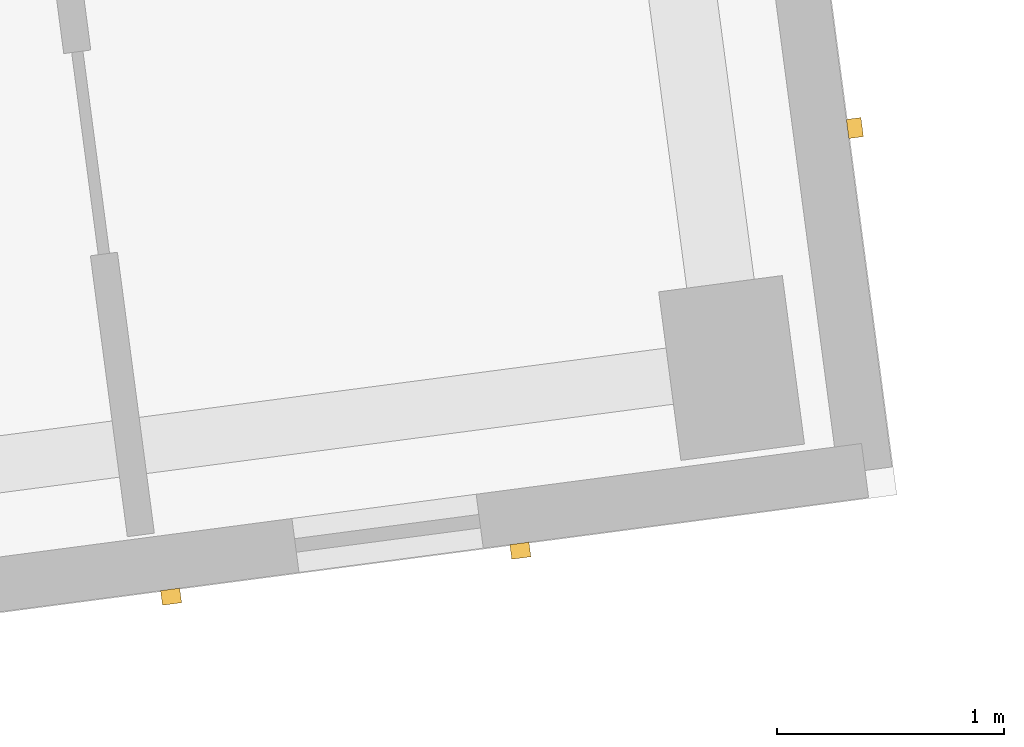
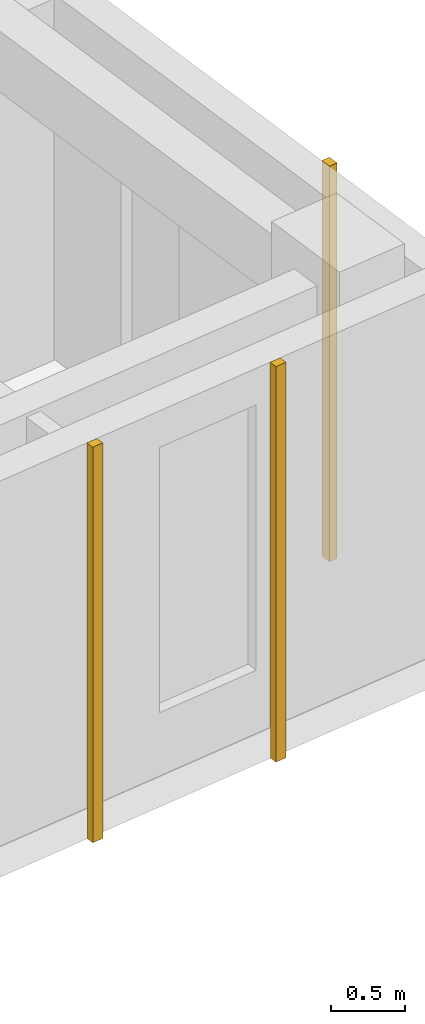
# One storey, part 45 of 65: 3 coverings.
"""IFC4 building model written with IfcOpenShell, lengths in metres."""

from ifc_helpers import new_model, si_unit, direction, frame, origin, origin_2d, place, context, subcontext, project, spatial, rectangle, extrude, material, layer, layer_set, type_object, element, save


model = new_model("IFC4")

# Units and contexts
model_context = context("Model", 3, precision=1e-05, world=origin(), true_north=direction((0.0, 1.0)))
body_context = subcontext(model_context, "Body", "Model", "MODEL_VIEW")
ifc_project = project(units=[si_unit("LENGTHUNIT", "METRE"), si_unit("AREAUNIT", "SQUARE_METRE"), si_unit("VOLUMEUNIT", "CUBIC_METRE"), si_unit("PLANEANGLEUNIT", "RADIAN"), si_unit("MASSUNIT", "GRAM", prefix="KILO")], contexts=[model_context])

# Site, building, storey
site_placement = place(None, origin())
site = spatial("IfcSite", under=ifc_project, at=site_placement, CompositionType="ELEMENT")
building_placement = place(site_placement, origin())
building = spatial("IfcBuilding", under=site, at=building_placement, Name="Kestramere Prow Commons", CompositionType="ELEMENT")
storey_placement = place(building_placement, frame((0.0, 0.0, 21.39990234375)))
storey = spatial("IfcBuildingStorey", under=building, at=storey_placement, Name="L06", CompositionType="ELEMENT", Elevation=21.39990234375)

# Coverings
ifc_material = material(Name="Weathered Zinc-Titanium Standing-Seam Cladding")
ifc_layer = layer(ifc_material, 0.074951171875)
ifc_layer_set = layer_set([ifc_layer], Name="Weathered Zinc-Titanium Standing-Seam Cladding")
covering_type = type_object("IfcCoveringType", Name="COV-CLAD-SEAM", PredefinedType="CLADDING", material=ifc_layer_set)
for number, where, z_axis, x_axis, name in (
    (1, (62.616455078125, 78.085693359375, -0.25), (0.0, 0.0, 1.0), (-0.991444861374, -0.13052619222, 0.0), "EW-A-L06-S-5 Standing-Seam Rib 1"),
    (2, (61.075439453125, 77.8828125, -0.25), (0.0, 0.0, 1.0), (-0.991444861374, -0.13052619222, 0.0), "EW-A-L06-S-5 Standing-Seam Rib 2"),
    (3, (64.09228515625, 79.950439453125, -0.25), (0.0, 0.0, 1.0), (0.13052619222, -0.991444861374, 0.0), "EW-A-L06-EAV Standing-Seam Rib 13"),
):
    element("IfcCovering", number, at=place(storey_placement, frame(where, z_axis=z_axis, x_axis=x_axis)), inside=storey, type_object=covering_type, Name=name, PredefinedType="CLADDING", context=body_context, shape_type="SweptSolid", body=[
        extrude(rectangle(XDim=0.0849609375, YDim=0.06494140625, at=origin_2d()), origin(), (0.0, 0.0, 1.0), 3.25),
    ])

save(model, "model.ifc")
